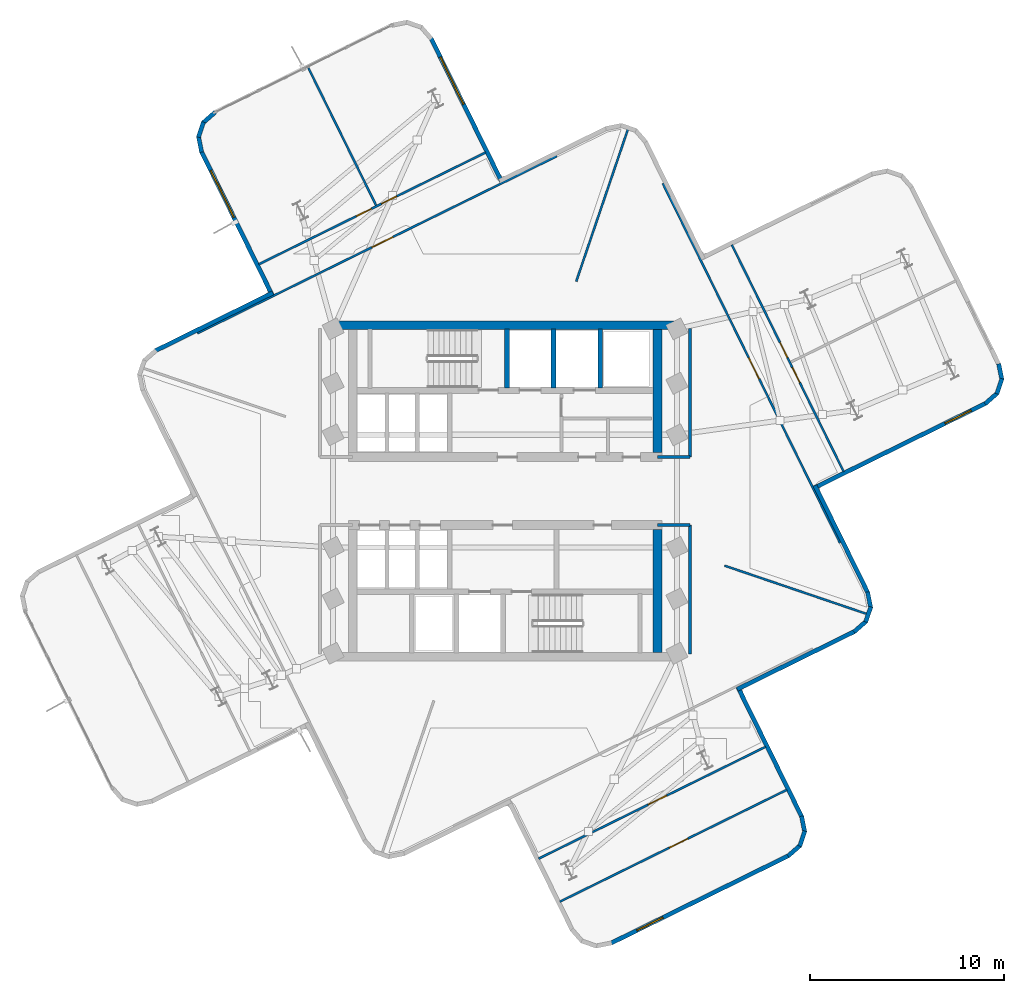
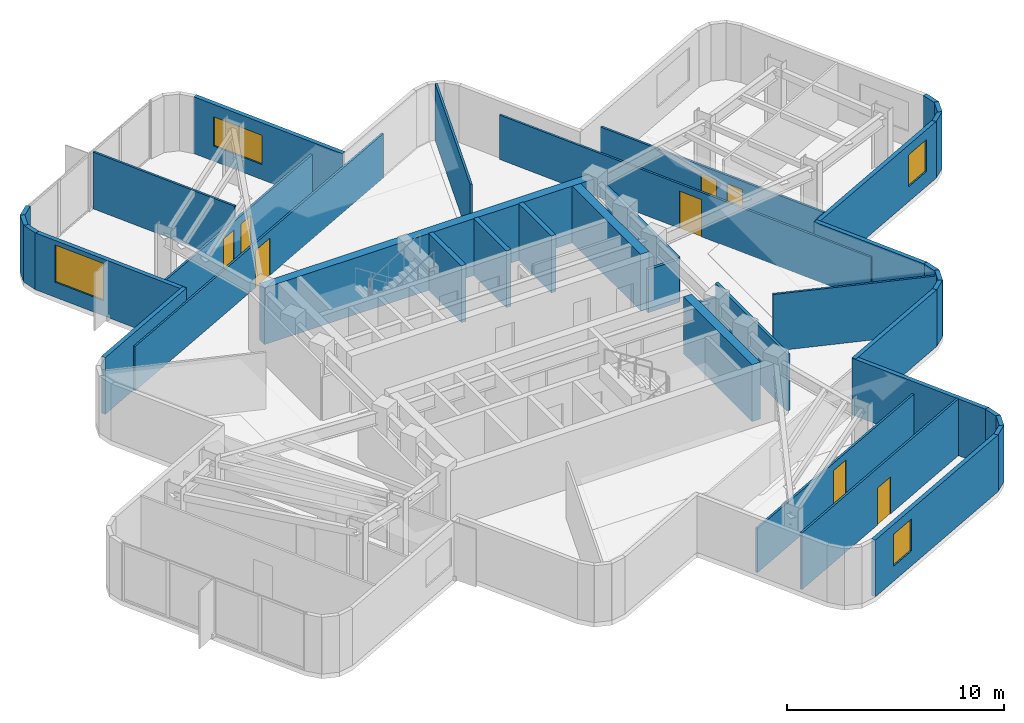
# One storey, part 7 of 11: 39 walls, 8 doors, 4 windows, 12 openings.
"""IFC4 building model written with IfcOpenShell, lengths in metres."""

from ifc_helpers import new_model, si_unit, direction, frame, frame_2d, origin, place, context, subcontext, project, spatial, rectangle, extrude, material, layer, layer_set, type_object, element, fill, save


model = new_model("IFC4")

# Units and contexts
model_context = context("Model", 3, precision=1e-05, world=origin(), true_north=direction((0.0, 1.0)))
body_context = subcontext(model_context, "Body", "Model", "MODEL_VIEW")
ifc_project = project(units=[si_unit("LENGTHUNIT", "METRE"), si_unit("AREAUNIT", "SQUARE_METRE"), si_unit("VOLUMEUNIT", "CUBIC_METRE"), si_unit("PLANEANGLEUNIT", "RADIAN"), si_unit("MASSUNIT", "GRAM", prefix="KILO")], contexts=[model_context])

# Site, building, storey
site_placement = place(None, origin())
site = spatial("IfcSite", under=ifc_project, at=site_placement, CompositionType="ELEMENT")
building_placement = place(site_placement, origin())
building = spatial("IfcBuilding", under=site, at=building_placement, Name="Solmarez Civic Tower", CompositionType="ELEMENT")
storey_placement = place(building_placement, frame((0.0, 0.0, 192.60009765625)))
storey = spatial("IfcBuildingStorey", under=building, at=storey_placement, Name="L51", CompositionType="ELEMENT", Elevation=192.60009765625)

# Walls
ifc_material_1 = material(Name="Concrete C50/60", Category="concrete")
ifc_layer_1 = layer(ifc_material_1, 0.449951171875)
ifc_layer_set_1 = layer_set([ifc_layer_1], Name="Concrete C50/60")
wall_type_1 = type_object("IfcWallType", Name="WALL-CORE-450", PredefinedType="SHEAR", material=ifc_layer_set_1)
wall_1_placement = place(storey_placement, frame((-8.780029296875, 8.534912109375, 0.0), z_axis=(0.0, 0.0, 1.0), x_axis=(1.0, 0.0, 0.0)))
element("IfcWall", 1, at=wall_1_placement, inside=storey, type_object=wall_type_1, Name="L51 Split-Core Structural Wall NCW-N-L51", PredefinedType="SHEAR", context=body_context, shape_type="SweptSolid", body=[
    extrude(rectangle(XDim=17.56005859375, YDim=0.449951171875, at=frame_2d((8.780029296875, 0.0))), origin(), (0.0, 0.0, 1.0), 3.199951171875),
])
for number, where, z_axis, x_axis, name in (
    (2, (7.844970703125, 8.31005859375, 0.0), (0.0, 0.0, 1.0), (0.0, -1.0, 0.0), "L51 Split-Core Structural Wall NCW-E-L51"),
    (3, (7.844970703125, -1.97509765625, 0.0), (0.0, 0.0, 1.0), (0.0, -1.0, 0.0), "L51 Split-Core Structural Wall SCW-E-L51"),
):
    element("IfcWall", number, at=place(storey_placement, frame(where, z_axis=z_axis, x_axis=x_axis)), inside=storey, type_object=wall_type_1, Name=name, PredefinedType="SHEAR", context=body_context, shape_type="SweptSolid", body=[
        extrude(rectangle(XDim=6.3349609375, YDim=0.449951171875, at=frame_2d((3.16748046875, 0.0))), origin(), (0.0, 0.0, 1.0), 3.199951171875),
    ])
ifc_material_2 = material(Name="Precast concrete C40/50", Category="concrete")
ifc_layer_2 = layer(ifc_material_2, 0.219970703125)
ifc_layer_set_2 = layer_set([ifc_layer_2], Name="Precast concrete C40/50")
wall_type_2 = type_object("IfcWallType", Name="WALL-EXT-220", PredefinedType="SOLIDWALL", material=ifc_layer_set_2)
wall_2_placement = place(storey_placement, frame((-18.009033203125, 7.221923828125, 0.0), z_axis=(0.0, 0.0, 1.0), x_axis=(0.896927600032, 0.44217743079, 0.0)))
element("IfcWall", 4, at=wall_2_placement, inside=storey, type_object=wall_type_2, Name="L51 Exterior Precast Wall 17", PredefinedType="SOLIDWALL", context=body_context, shape_type="SweptSolid", body=[
    extrude(rectangle(XDim=6.757568359375, YDim=0.219970703125, at=frame_2d((3.37890625, 0.0))), origin(), (0.0, 0.0, 1.0), 3.199951171875),
])

# Wall, opening, window
wall_3_placement = place(storey_placement, frame((-11.988037109375, 10.092041015625, 0.0), z_axis=(0.0, 0.0, 1.0), x_axis=(-0.442109392901, 0.896961138907, 0.0)))
wall_3 = element("IfcWall", 5, at=wall_3_placement, inside=storey, type_object=wall_type_2, Name="L51 Exterior Precast Wall 20", PredefinedType="SOLIDWALL", context=body_context, shape_type="SweptSolid", body=[
    extrude(rectangle(XDim=8.2578125, YDim=0.219970703125, at=frame_2d((4.12890625, 0.0))), origin(), (0.0, 0.0, 1.0), 3.199951171875),
])
opening_1_placement = place(wall_3_placement, frame((4.4580078125, 0.0, 0.85009765625)))
opening_1 = element("IfcOpeningElement", 6, at=opening_1_placement, cuts=wall_3, Name="Opening W-01", PredefinedType="OPENING", context=body_context, shape_type="SweptSolid", body=[
    extrude(rectangle(XDim=2.699951171875, YDim=2.10009765625, at=frame_2d((1.35009765625, 1.050048828125))), frame((0.0, 0.119873046875, 0.0), z_axis=(0.0, -1.0, 0.0), x_axis=(1.0, 0.0, 0.0)), (0.0, 0.0, 1.0), 0.239990234375),
])
ifc_material_3 = material(Name="Solar Control Bronze-Tinted Insulating Glass", Category="glass")
window_type_1 = type_object("IfcWindowType", Name="WIN-2700X2100", PartitioningType="SINGLE_PANEL", PredefinedType="WINDOW", material=ifc_material_3)
window_1_placement = place(opening_1_placement, origin())
window_1 = element("IfcWindow", 7, at=window_1_placement, inside=storey, type_object=window_type_1, Name="L51 Exterior Facade Window 20", OverallHeight=2.10009765625, OverallWidth=2.699951171875, PartitioningType="SINGLE_PANEL", PredefinedType="WINDOW", context=body_context, shape_type="SweptSolid", body=[
    extrude(rectangle(XDim=2.699951171875, YDim=2.10009765625, at=frame_2d((1.35009765625, 1.050048828125))), frame((0.0, 0.030029296875, 0.0), z_axis=(0.0, -1.0, 0.0), x_axis=(1.0, 0.0, 0.0)), (0.0, 0.0, 1.0), 0.06005859375),
])
fill(opening_1, window_1)

# Walls
wall_4_placement = place(storey_placement, frame((-15.623046875, 17.451904296875, 0.0), z_axis=(0.0, 0.0, 1.0), x_axis=(-0.193866328911, 0.981027953992, 0.0)))
element("IfcWall", 8, at=wall_4_placement, inside=storey, type_object=wall_type_2, Name="L51 Exterior Precast Wall 21", PredefinedType="SOLIDWALL", context=body_context, shape_type="SweptSolid", body=[
    extrude(rectangle(XDim=0.8349609375, YDim=0.219970703125, at=frame_2d((0.41748046875, 0.0))), origin(), (0.0, 0.0, 1.0), 3.199951171875),
])
wall_5_placement = place(storey_placement, frame((-15.7880859375, 18.221923828125, 0.0), z_axis=(0.0, 0.0, 1.0), x_axis=(0.320776894908, 0.947154783387, 0.0)))
element("IfcWall", 9, at=wall_5_placement, inside=storey, type_object=wall_type_2, Name="L51 Exterior Precast Wall 22", PredefinedType="SOLIDWALL", context=body_context, shape_type="SweptSolid", body=[
    extrude(rectangle(XDim=0.820556640625, YDim=0.219970703125, at=frame_2d((0.41015625, 0.0))), origin(), (0.0, 0.0, 1.0), 3.199951171875),
])
wall_6_placement = place(storey_placement, frame((-15.552001953125, 18.958984375, 0.0), z_axis=(0.0, 0.0, 1.0), x_axis=(0.752794227209, 0.658255916404, 0.0)))
element("IfcWall", 10, at=wall_6_placement, inside=storey, type_object=wall_type_2, Name="L51 Exterior Precast Wall 23", PredefinedType="SOLIDWALL", context=body_context, shape_type="SweptSolid", body=[
    extrude(rectangle(XDim=0.834228515625, YDim=0.219970703125, at=frame_2d((0.4169921875, 0.0))), origin(), (0.0, 0.0, 1.0), 3.199951171875),
])

# Wall, opening, window
wall_7_placement = place(storey_placement, frame((-3.81689453125, 23.325927734375, 0.0), z_axis=(0.0, 0.0, 1.0), x_axis=(0.442156293263, -0.896938020338, 0.0)))
wall_7 = element("IfcWall", 11, at=wall_7_placement, inside=storey, type_object=wall_type_2, Name="L51 Exterior Precast Wall 28", PredefinedType="SOLIDWALL", context=body_context, shape_type="SweptSolid", body=[
    extrude(rectangle(XDim=8.257080078125, YDim=0.219970703125, at=frame_2d((4.12841796875, 0.0))), origin(), (0.0, 0.0, 1.0), 3.199951171875),
])
opening_2_placement = place(wall_7_placement, frame((1.10009765625, 0.0, 0.85009765625)))
opening_2 = element("IfcOpeningElement", 12, at=opening_2_placement, cuts=wall_7, Name="Opening W-09", PredefinedType="OPENING", context=body_context, shape_type="SweptSolid", body=[
    extrude(rectangle(XDim=2.699951171875, YDim=1.64990234375, at=frame_2d((1.35009765625, 0.824951171875))), frame((0.0, 0.119873046875, 0.0), z_axis=(0.0, -1.0, 0.0), x_axis=(1.0, 0.0, 0.0)), (0.0, 0.0, 1.0), 0.239990234375),
])
window_type_2 = type_object("IfcWindowType", Name="WIN-2700X1650", PartitioningType="SINGLE_PANEL", PredefinedType="WINDOW", material=ifc_material_3)
window_2_placement = place(opening_2_placement, origin())
window_2 = element("IfcWindow", 13, at=window_2_placement, inside=storey, type_object=window_type_2, Name="L51 Exterior Facade Window 28", OverallHeight=1.64990234375, OverallWidth=2.699951171875, PartitioningType="SINGLE_PANEL", PredefinedType="WINDOW", context=body_context, shape_type="SweptSolid", body=[
    extrude(rectangle(XDim=2.699951171875, YDim=1.64990234375, at=frame_2d((1.35009765625, 0.824951171875))), frame((0.0, 0.030029296875, 0.0), z_axis=(0.0, -1.0, 0.0), x_axis=(1.0, 0.0, 0.0)), (0.0, 0.0, 1.0), 0.06005859375),
])
fill(opening_2, window_2)

# Walls
wall_8_placement = place(storey_placement, frame((25.4189453125, 6.552978515625, 0.0), z_axis=(0.0, 0.0, 1.0), x_axis=(0.195272818647, -0.980748961915, 0.0)))
element("IfcWall", 14, at=wall_8_placement, inside=storey, type_object=wall_type_2, Name="L51 Exterior Precast Wall 43", PredefinedType="SOLIDWALL", context=body_context, shape_type="SweptSolid", body=[
    extrude(rectangle(XDim=0.835205078125, YDim=0.219970703125, at=frame_2d((0.41748046875, 0.0))), origin(), (0.0, 0.0, 1.0), 3.199951171875),
])
wall_9_placement = place(storey_placement, frame((25.5849609375, 5.782958984375, 0.0), z_axis=(0.0, 0.0, 1.0), x_axis=(-0.321667999976, -0.946852521669, 0.0)))
element("IfcWall", 15, at=wall_9_placement, inside=storey, type_object=wall_type_2, Name="L51 Exterior Precast Wall 44", PredefinedType="SOLIDWALL", context=body_context, shape_type="SweptSolid", body=[
    extrude(rectangle(XDim=0.820556640625, YDim=0.219970703125, at=frame_2d((0.41015625, 0.0))), origin(), (0.0, 0.0, 1.0), 3.199951171875),
])
wall_10_placement = place(storey_placement, frame((25.347900390625, 5.0458984375, 0.0), z_axis=(0.0, 0.0, 1.0), x_axis=(-0.752939273058, -0.658090002269, 0.0)))
element("IfcWall", 16, at=wall_10_placement, inside=storey, type_object=wall_type_2, Name="L51 Exterior Precast Wall 45", PredefinedType="SOLIDWALL", context=body_context, shape_type="SweptSolid", body=[
    extrude(rectangle(XDim=0.833984375, YDim=0.219970703125, at=frame_2d((0.4169921875, 0.0))), origin(), (0.0, 0.0, 1.0), 3.199951171875),
])

# Wall, opening, window
wall_11_placement = place(storey_placement, frame((24.760986328125, 4.52392578125, 0.0), z_axis=(0.0, 0.0, 1.0), x_axis=(-0.896954033158, -0.442123808905, 0.0)))
wall_11 = element("IfcWall", 17, at=wall_11_placement, inside=storey, type_object=wall_type_2, Name="L51 Exterior Precast Wall 46", PredefinedType="SOLIDWALL", context=body_context, shape_type="SweptSolid", body=[
    extrude(rectangle(XDim=9.856689453125, YDim=0.219970703125, at=frame_2d((4.92822265625, 0.0))), origin(), (0.0, 0.0, 1.0), 3.199951171875),
])
opening_3_placement = place(wall_11_placement, frame((0.85009765625, 0.0, 0.85009765625)))
opening_3 = element("IfcOpeningElement", 18, at=opening_3_placement, cuts=wall_11, Name="Opening W-13", PredefinedType="OPENING", context=body_context, shape_type="SweptSolid", body=[
    extrude(rectangle(XDim=1.5, YDim=1.800048828125, at=frame_2d((0.75, 0.89990234375))), frame((0.0, 0.119873046875, 0.0), z_axis=(0.0, -1.0, 0.0), x_axis=(1.0, 0.0, 0.0)), (0.0, 0.0, 1.0), 0.239990234375),
])
window_type_3 = type_object("IfcWindowType", Name="WIN-1500X1800", PartitioningType="SINGLE_PANEL", PredefinedType="WINDOW", material=ifc_material_3)
window_3_placement = place(opening_3_placement, origin())
window_3 = element("IfcWindow", 19, at=window_3_placement, inside=storey, type_object=window_type_3, Name="L51 Exterior Facade Window 46", OverallHeight=1.800048828125, OverallWidth=1.5, PartitioningType="SINGLE_PANEL", PredefinedType="WINDOW", context=body_context, shape_type="SweptSolid", body=[
    extrude(rectangle(XDim=1.5, YDim=1.800048828125, at=frame_2d((0.75, 0.89990234375))), frame((0.0, 0.030029296875, 0.0), z_axis=(0.0, -1.0, 0.0), x_axis=(1.0, 0.0, 0.0)), (0.0, 0.0, 1.0), 0.06005859375),
])
fill(opening_3, window_3)

# Walls
wall_12_placement = place(storey_placement, frame((15.9599609375, 0.283935546875, 0.0), z_axis=(0.0, 0.0, 1.0), x_axis=(0.442004580174, -0.897012793167, 0.0)))
element("IfcWall", 20, at=wall_12_placement, inside=storey, type_object=wall_type_2, Name="L51 Exterior Precast Wall 49", PredefinedType="SOLIDWALL", context=body_context, shape_type="SweptSolid", body=[
    extrude(rectangle(XDim=6.158203125, YDim=0.219970703125, at=frame_2d((3.0791015625, 0.0))), origin(), (0.0, 0.0, 1.0), 3.199951171875),
])
wall_13_placement = place(storey_placement, frame((18.666015625, -5.193115234375, 0.0), z_axis=(0.0, 0.0, 1.0), x_axis=(0.19532881852, -0.980737810353, 0.0)))
element("IfcWall", 21, at=wall_13_placement, inside=storey, type_object=wall_type_2, Name="L51 Exterior Precast Wall 50", PredefinedType="SOLIDWALL", context=body_context, shape_type="SweptSolid", body=[
    extrude(rectangle(XDim=0.8349609375, YDim=0.219970703125, at=frame_2d((0.41748046875, 0.0))), origin(), (0.0, 0.0, 1.0), 3.199951171875),
])
wall_14_placement = place(storey_placement, frame((18.83203125, -5.962890625, 0.0), z_axis=(0.0, 0.0, 1.0), x_axis=(-0.320509908962, -0.947245162699, 0.0)))
element("IfcWall", 22, at=wall_14_placement, inside=storey, type_object=wall_type_2, Name="L51 Exterior Precast Wall 51", PredefinedType="SOLIDWALL", context=body_context, shape_type="SweptSolid", body=[
    extrude(rectangle(XDim=0.8203125, YDim=0.219970703125, at=frame_2d((0.41015625, 0.0))), origin(), (0.0, 0.0, 1.0), 3.199951171875),
])
wall_15_placement = place(storey_placement, frame((18.595947265625, -6.699951171875, 0.0), z_axis=(0.0, 0.0, 1.0), x_axis=(-0.752794227209, -0.658255916404, 0.0)))
element("IfcWall", 23, at=wall_15_placement, inside=storey, type_object=wall_type_2, Name="L51 Exterior Precast Wall 52", PredefinedType="SOLIDWALL", context=body_context, shape_type="SweptSolid", body=[
    extrude(rectangle(XDim=0.834228515625, YDim=0.219970703125, at=frame_2d((0.4169921875, 0.0))), origin(), (0.0, 0.0, 1.0), 3.199951171875),
])
wall_16_placement = place(storey_placement, frame((18.009033203125, -7.221923828125, 0.0), z_axis=(0.0, 0.0, 1.0), x_axis=(-0.896927600032, -0.44217743079, 0.0)))
element("IfcWall", 24, at=wall_16_placement, inside=storey, type_object=wall_type_2, Name="L51 Exterior Precast Wall 53", PredefinedType="SOLIDWALL", context=body_context, shape_type="SweptSolid", body=[
    extrude(rectangle(XDim=6.757568359375, YDim=0.219970703125, at=frame_2d((3.37890625, 0.0))), origin(), (0.0, 0.0, 1.0), 3.199951171875),
])
wall_17_placement = place(storey_placement, frame((11.988037109375, -10.092041015625, 0.0), z_axis=(0.0, 0.0, 1.0), x_axis=(0.442047193251, -0.896991794243, 0.0)))
element("IfcWall", 25, at=wall_17_placement, inside=storey, type_object=wall_type_2, Name="L51 Exterior Precast Wall 56", PredefinedType="SOLIDWALL", context=body_context, shape_type="SweptSolid", body=[
    extrude(rectangle(XDim=7.458251953125, YDim=0.219970703125, at=frame_2d((3.72900390625, 0.0))), origin(), (0.0, 0.0, 1.0), 3.199951171875),
])
wall_18_placement = place(storey_placement, frame((15.26904296875, -16.735107421875, 0.0), z_axis=(0.0, 0.0, 1.0), x_axis=(0.195047542382, -0.980793788832, 0.0)))
element("IfcWall", 26, at=wall_18_placement, inside=storey, type_object=wall_type_2, Name="L51 Exterior Precast Wall 57", PredefinedType="SOLIDWALL", context=body_context, shape_type="SweptSolid", body=[
    extrude(rectangle(XDim=0.8349609375, YDim=0.219970703125, at=frame_2d((0.41748046875, 0.0))), origin(), (0.0, 0.0, 1.0), 3.199951171875),
])
wall_19_placement = place(storey_placement, frame((15.43505859375, -17.5048828125, 0.0), z_axis=(0.0, 0.0, 1.0), x_axis=(-0.322207018103, -0.94666923341, 0.0)))
element("IfcWall", 27, at=wall_19_placement, inside=storey, type_object=wall_type_2, Name="L51 Exterior Precast Wall 58", PredefinedType="SOLIDWALL", context=body_context, shape_type="SweptSolid", body=[
    extrude(rectangle(XDim=0.81982421875, YDim=0.219970703125, at=frame_2d((0.409912109375, 0.0))), origin(), (0.0, 0.0, 1.0), 3.199951171875),
])
wall_20_placement = place(storey_placement, frame((15.197998046875, -18.240966796875, 0.0), z_axis=(0.0, 0.0, 1.0), x_axis=(-0.752286267629, -0.658836376907, 0.0)))
element("IfcWall", 28, at=wall_20_placement, inside=storey, type_object=wall_type_2, Name="L51 Exterior Precast Wall 59", PredefinedType="SOLIDWALL", context=body_context, shape_type="SweptSolid", body=[
    extrude(rectangle(XDim=0.83349609375, YDim=0.219970703125, at=frame_2d((0.416748046875, 0.0))), origin(), (0.0, 0.0, 1.0), 3.199951171875),
])

# Wall, opening, window
wall_21_placement = place(storey_placement, frame((14.612060546875, -18.762939453125, 0.0), z_axis=(0.0, 0.0, 1.0), x_axis=(-0.896935503829, -0.442161398101, 0.0)))
wall_21 = element("IfcWall", 29, at=wall_21_placement, inside=storey, type_object=wall_type_2, Name="L51 Exterior Precast Wall 60", PredefinedType="SOLIDWALL", context=body_context, shape_type="SweptSolid", body=[
    extrude(rectangle(XDim=10.220458984375, YDim=0.219970703125, at=frame_2d((5.1103515625, 0.0))), origin(), (0.0, 0.0, 1.0), 3.199951171875),
])
opening_4_placement = place(wall_21_placement, frame((7.221923828125, 0.0, 0.85009765625)))
opening_4 = element("IfcOpeningElement", 30, at=opening_4_placement, cuts=wall_21, Name="Opening W-13", PredefinedType="OPENING", context=body_context, shape_type="SweptSolid", body=[
    extrude(rectangle(XDim=1.5, YDim=1.800048828125, at=frame_2d((0.75, 0.89990234375))), frame((0.0, 0.119873046875, 0.0), z_axis=(0.0, -1.0, 0.0), x_axis=(1.0, 0.0, 0.0)), (0.0, 0.0, 1.0), 0.239990234375),
])
window_4_placement = place(opening_4_placement, origin())
window_4 = element("IfcWindow", 31, at=window_4_placement, inside=storey, type_object=window_type_3, Name="L51 Exterior Facade Window 60", OverallHeight=1.800048828125, OverallWidth=1.5, PartitioningType="SINGLE_PANEL", PredefinedType="WINDOW", context=body_context, shape_type="SweptSolid", body=[
    extrude(rectangle(XDim=1.5, YDim=1.800048828125, at=frame_2d((0.75, 0.89990234375))), frame((0.0, 0.030029296875, 0.0), z_axis=(0.0, -1.0, 0.0), x_axis=(1.0, 0.0, 0.0)), (0.0, 0.0, 1.0), 0.06005859375),
])
fill(opening_4, window_4)

# Walls
ifc_material_4 = material(Name="Gypsum Board Acoustic Steel-Stud Partition", Category="steel")
ifc_layer_3 = layer(ifc_material_4, 0.14990234375)
ifc_layer_set_3 = layer_set([ifc_layer_3], Name="Gypsum Board Acoustic Steel-Stud Partition")
wall_type_3 = type_object("IfcWallType", Name="WALL-INT-FIRE-150", PredefinedType="PARTITIONING", material=ifc_layer_set_3)
wall_22_placement = place(storey_placement, frame((9.52001953125, 1.75, 0.0), z_axis=(0.0, 0.0, 1.0), x_axis=(0.0, 1.0, 0.0)))
element("IfcWall", 32, at=wall_22_placement, inside=storey, type_object=wall_type_3, Name="L51 Interior Partition CHW-L51-EN1", PredefinedType="PARTITIONING", context=body_context, shape_type="SweptSolid", body=[
    extrude(rectangle(XDim=6.6298828125, YDim=0.14990234375, at=frame_2d((3.31494140625, 0.0))), origin(), (0.0, 0.0, 1.0), 2.50390625),
])
wall_23_placement = place(storey_placement, frame((7.85009765625, 1.75, 0.0), z_axis=(0.0, 0.0, 1.0), x_axis=(1.0, 0.0, 0.0)))
element("IfcWall", 33, at=wall_23_placement, inside=storey, type_object=wall_type_3, Name="L51 Interior Partition CHW-L51-EN3", PredefinedType="PARTITIONING", context=body_context, shape_type="SweptSolid", body=[
    extrude(rectangle(XDim=1.669921875, YDim=0.14990234375, at=frame_2d((0.8349609375, 0.0))), origin(), (0.0, 0.0, 1.0), 2.429931640625),
])
wall_24_placement = place(storey_placement, frame((9.52001953125, -8.3798828125, 0.0), z_axis=(0.0, 0.0, 1.0), x_axis=(0.0, 1.0, 0.0)))
element("IfcWall", 34, at=wall_24_placement, inside=storey, type_object=wall_type_3, Name="L51 Interior Partition CHW-L51-ES1", PredefinedType="PARTITIONING", context=body_context, shape_type="SweptSolid", body=[
    extrude(rectangle(XDim=6.6298828125, YDim=0.14990234375, at=frame_2d((3.31494140625, 0.0))), origin(), (0.0, 0.0, 1.0), 3.199951171875),
])
wall_25_placement = place(storey_placement, frame((7.85009765625, -1.75, 0.0), z_axis=(0.0, 0.0, 1.0), x_axis=(1.0, 0.0, 0.0)))
element("IfcWall", 35, at=wall_25_placement, inside=storey, type_object=wall_type_3, Name="L51 Interior Partition CHW-L51-ES3", PredefinedType="PARTITIONING", context=body_context, shape_type="SweptSolid", body=[
    extrude(rectangle(XDim=1.669921875, YDim=0.14990234375, at=frame_2d((0.8349609375, 0.0))), origin(), (0.0, 0.0, 1.0), 2.429931640625),
])
ifc_layer_4 = layer(ifc_material_4, 0.110107421875)
ifc_layer_set_4 = layer_set([ifc_layer_4], Name="Gypsum Board Acoustic Steel-Stud Partition")
wall_type_4 = type_object("IfcWallType", Name="WALL-INT-PART-110", PredefinedType="PARTITIONING", material=ifc_layer_set_4)
wall_26_placement = place(storey_placement, frame((3.666015625, 10.7939453125, 0.0), z_axis=(0.0, 0.0, 1.0), x_axis=(0.32157793417, 0.946883114357, 0.0)))
element("IfcWall", 36, at=wall_26_placement, inside=storey, type_object=wall_type_4, Name="L51 Interior Partition PT-L51-QDIV-1", PredefinedType="PARTITIONING", context=body_context, shape_type="SweptSolid", body=[
    extrude(rectangle(XDim=8.2744140625, YDim=0.110107421875, at=frame_2d((4.13720703125, 0.0))), origin(), (0.0, 0.0, 1.0), 3.199951171875),
])
wall_27_placement = place(storey_placement, frame((11.300048828125, -3.837890625, 0.0), z_axis=(0.0, 0.0, 1.0), x_axis=(0.946882857271, -0.321578691158, 0.0)))
element("IfcWall", 37, at=wall_27_placement, inside=storey, type_object=wall_type_4, Name="L51 Interior Partition PT-L51-QDIV-4", PredefinedType="PARTITIONING", context=body_context, shape_type="SweptSolid", body=[
    extrude(rectangle(XDim=7.739990234375, YDim=0.110107421875, at=frame_2d((3.8701171875, 0.0))), origin(), (0.0, 0.0, 1.0), 3.199951171875),
])

# Wall, opening, door
wall_28_placement = place(storey_placement, frame((8.1220703125, 15.843017578125, 0.0), z_axis=(0.0, 0.0, 1.0), x_axis=(0.442129285211, -0.896951333774, 0.0)))
wall_28 = element("IfcWall", 38, at=wall_28_placement, inside=storey, type_object=wall_type_4, Name="L51 Interior Partition PT-L51-E-ENT", PredefinedType="PARTITIONING", context=body_context, shape_type="SweptSolid", body=[
    extrude(rectangle(XDim=20.638671875, YDim=0.110107421875, at=frame_2d((10.3193359375, 0.0))), origin(), (0.0, 0.0, 1.0), 2.50390625),
])
opening_5_placement = place(wall_28_placement, frame((10.02001953125, 0.0, 0.0)))
opening_5 = element("IfcOpeningElement", 39, at=opening_5_placement, cuts=wall_28, Name="Opening D-11", PredefinedType="OPENING", context=body_context, shape_type="SweptSolid", body=[
    extrude(rectangle(XDim=1.199951171875, YDim=2.10009765625, at=frame_2d((0.60009765625, 1.050048828125))), frame((0.0, 0.06494140625, 0.0), z_axis=(0.0, -1.0, 0.0), x_axis=(1.0, 0.0, 0.0)), (0.0, 0.0, 1.0), 0.130126953125),
])
ifc_material_5 = material(Name="Glazed-Vision Acoustic Chamber Door", Category="wood")
door_type_1 = type_object("IfcDoorType", Name="DOOR-INT-1200", OperationType="NOTDEFINED", PredefinedType="DOOR", material=ifc_material_5)
door_1_placement = place(opening_5_placement, origin())
door_1 = element("IfcDoor", 40, at=door_1_placement, inside=storey, type_object=door_type_1, Name="L51 Tribunal Chamber Inter-Ministerial Open Workspace First East Door", OperationType="SINGLE_SWING_LEFT", OverallHeight=2.10009765625, OverallWidth=1.199951171875, PredefinedType="DOOR", context=body_context, shape_type="SweptSolid", body=[
    extrude(rectangle(XDim=1.199951171875, YDim=2.10009765625, at=frame_2d((0.60009765625, 1.050048828125))), frame((0.0, 0.02490234375, 0.0), z_axis=(0.0, -1.0, 0.0), x_axis=(1.0, 0.0, 0.0)), (0.0, 0.0, 1.0), 0.050048828125),
])
fill(opening_5, door_1)

# Wall, openings, doors
wall_29_placement = place(storey_placement, frame((17.43603515625, 0.9970703125, 0.0), z_axis=(0.0, 0.0, 1.0), x_axis=(-0.442139902385, 0.896946100231, 0.0)))
wall_29 = element("IfcWall", 41, at=wall_29_placement, inside=storey, type_object=wall_type_4, Name="L51 Interior Partition PT-L51-E-SCUT", PredefinedType="PARTITIONING", context=body_context, shape_type="SweptSolid", body=[
    extrude(rectangle(XDim=13.02978515625, YDim=0.110107421875, at=frame_2d((6.514892578125, 0.0))), origin(), (0.0, 0.0, 1.0), 2.50390625),
])
opening_6_placement = place(wall_29_placement, frame((5.114990234375, 0.0, 0.0)))
opening_6 = element("IfcOpeningElement", 42, at=opening_6_placement, cuts=wall_29, Name="Opening D-14", PredefinedType="OPENING", context=body_context, shape_type="SweptSolid", body=[
    extrude(rectangle(XDim=0.860107421875, YDim=2.0400390625, at=frame_2d((0.43017578125, 1.02001953125))), frame((0.0, 0.06494140625, 0.0), z_axis=(0.0, -1.0, 0.0), x_axis=(1.0, 0.0, 0.0)), (0.0, 0.0, 1.0), 0.130126953125),
])
opening_7_placement = place(wall_29_placement, frame((6.554931640625, 0.0, 0.0)))
opening_7 = element("IfcOpeningElement", 43, at=opening_7_placement, cuts=wall_29, Name="Opening D-14", PredefinedType="OPENING", context=body_context, shape_type="SweptSolid", body=[
    extrude(rectangle(XDim=0.860107421875, YDim=2.0400390625, at=frame_2d((0.43017578125, 1.02001953125))), frame((0.0, 0.06494140625, 0.0), z_axis=(0.0, -1.0, 0.0), x_axis=(1.0, 0.0, 0.0)), (0.0, 0.0, 1.0), 0.130126953125),
])
ifc_material_6 = material(Name="Timber Storage and Pantry Door", Category="wood")
door_type_2 = type_object("IfcDoorType", Name="DOOR-INT-850", OperationType="NOTDEFINED", PredefinedType="DOOR", material=ifc_material_6)
door_2_placement = place(opening_6_placement, origin())
door_2 = element("IfcDoor", 44, at=door_2_placement, inside=storey, type_object=door_type_2, Name="L51 Citizen Consultation Room Third East Door", OperationType="SINGLE_SWING_RIGHT", OverallHeight=2.0400390625, OverallWidth=0.860107421875, PredefinedType="DOOR", context=body_context, shape_type="SweptSolid", body=[
    extrude(rectangle(XDim=0.860107421875, YDim=2.0400390625, at=frame_2d((0.43017578125, 1.02001953125))), frame((0.0, 0.02490234375, 0.0), z_axis=(0.0, -1.0, 0.0), x_axis=(1.0, 0.0, 0.0)), (0.0, 0.0, 1.0), 0.050048828125),
])
fill(opening_6, door_2)
door_3_placement = place(opening_7_placement, origin())
door_3 = element("IfcDoor", 45, at=door_3_placement, inside=storey, type_object=door_type_2, Name="L51 Policy Seminar Room Second East Door", OperationType="SINGLE_SWING_LEFT", OverallHeight=2.0400390625, OverallWidth=0.860107421875, PredefinedType="DOOR", context=body_context, shape_type="SweptSolid", body=[
    extrude(rectangle(XDim=0.860107421875, YDim=2.0400390625, at=frame_2d((0.43017578125, 1.02001953125))), frame((0.0, 0.02490234375, 0.0), z_axis=(0.0, -1.0, 0.0), x_axis=(1.0, 0.0, 0.0)), (0.0, 0.0, 1.0), 0.050048828125),
])
fill(opening_7, door_3)

# Wall, opening, door
wall_30_placement = place(storey_placement, frame((-15.843017578125, 8.1220703125, 0.0), z_axis=(0.0, 0.0, 1.0), x_axis=(0.896951333774, 0.442129285211, 0.0)))
wall_30 = element("IfcWall", 46, at=wall_30_placement, inside=storey, type_object=wall_type_4, Name="L51 Interior Partition PT-L51-N-ENT", PredefinedType="PARTITIONING", context=body_context, shape_type="SweptSolid", body=[
    extrude(rectangle(XDim=20.638671875, YDim=0.110107421875, at=frame_2d((10.3193359375, 0.0))), origin(), (0.0, 0.0, 1.0), 2.50390625),
])
opening_8_placement = place(wall_30_placement, frame((10.02001953125, 0.0, 0.0)))
opening_8 = element("IfcOpeningElement", 47, at=opening_8_placement, cuts=wall_30, Name="Opening D-11", PredefinedType="OPENING", context=body_context, shape_type="SweptSolid", body=[
    extrude(rectangle(XDim=1.199951171875, YDim=2.10009765625, at=frame_2d((0.60009765625, 1.050048828125))), frame((0.0, 0.06494140625, 0.0), z_axis=(0.0, -1.0, 0.0), x_axis=(1.0, 0.0, 0.0)), (0.0, 0.0, 1.0), 0.130126953125),
])
door_4_placement = place(opening_8_placement, origin())
door_4 = element("IfcDoor", 48, at=door_4_placement, inside=storey, type_object=door_type_1, Name="L51 Policy Seminar Room First North Door", OperationType="SINGLE_SWING_LEFT", OverallHeight=2.10009765625, OverallWidth=1.199951171875, PredefinedType="DOOR", context=body_context, shape_type="SweptSolid", body=[
    extrude(rectangle(XDim=1.199951171875, YDim=2.10009765625, at=frame_2d((0.60009765625, 1.050048828125))), frame((0.0, 0.02490234375, 0.0), z_axis=(0.0, -1.0, 0.0), x_axis=(1.0, 0.0, 0.0)), (0.0, 0.0, 1.0), 0.050048828125),
])
fill(opening_8, door_4)

# Wall
wall_31_placement = place(storey_placement, frame((-6.64306640625, 14.719970703125, 0.0), z_axis=(0.0, 0.0, 1.0), x_axis=(-0.442022597005, 0.897003915118, 0.0)))
element("IfcWall", 49, at=wall_31_placement, inside=storey, type_object=wall_type_4, Name="L51 Interior Partition PT-L51-N-TSP", PredefinedType="PARTITIONING", context=body_context, shape_type="SweptSolid", body=[
    extrude(rectangle(XDim=7.875, YDim=0.110107421875, at=frame_2d((3.9375, 0.0))), origin(), (0.0, 0.0, 1.0), 3.199951171875),
])

# Wall, openings, doors
wall_32_placement = place(storey_placement, frame((-0.9970703125, 17.43603515625, 0.0), z_axis=(0.0, 0.0, 1.0), x_axis=(-0.896946100231, -0.442139902385, 0.0)))
wall_32 = element("IfcWall", 50, at=wall_32_placement, inside=storey, type_object=wall_type_4, Name="L51 Interior Partition PT-L51-N-SCUT", PredefinedType="PARTITIONING", context=body_context, shape_type="SweptSolid", body=[
    extrude(rectangle(XDim=13.02978515625, YDim=0.110107421875, at=frame_2d((6.514892578125, 0.0))), origin(), (0.0, 0.0, 1.0), 2.50390625),
])
opening_9_placement = place(wall_32_placement, frame((5.114990234375, 0.0, 0.0)))
opening_9 = element("IfcOpeningElement", 51, at=opening_9_placement, cuts=wall_32, Name="Opening D-14", PredefinedType="OPENING", context=body_context, shape_type="SweptSolid", body=[
    extrude(rectangle(XDim=0.860107421875, YDim=2.0400390625, at=frame_2d((0.43017578125, 1.02001953125))), frame((0.0, 0.06494140625, 0.0), z_axis=(0.0, -1.0, 0.0), x_axis=(1.0, 0.0, 0.0)), (0.0, 0.0, 1.0), 0.130126953125),
])
opening_10_placement = place(wall_32_placement, frame((6.554931640625, 0.0, 0.0)))
opening_10 = element("IfcOpeningElement", 52, at=opening_10_placement, cuts=wall_32, Name="Opening D-14", PredefinedType="OPENING", context=body_context, shape_type="SweptSolid", body=[
    extrude(rectangle(XDim=0.860107421875, YDim=2.0400390625, at=frame_2d((0.43017578125, 1.02001953125))), frame((0.0, 0.06494140625, 0.0), z_axis=(0.0, -1.0, 0.0), x_axis=(1.0, 0.0, 0.0)), (0.0, 0.0, 1.0), 0.130126953125),
])
door_5_placement = place(opening_9_placement, origin())
door_5 = element("IfcDoor", 53, at=door_5_placement, inside=storey, type_object=door_type_2, Name="L51 Staff Pantry Third North Door", OperationType="SINGLE_SWING_RIGHT", OverallHeight=2.0400390625, OverallWidth=0.860107421875, PredefinedType="DOOR", context=body_context, shape_type="SweptSolid", body=[
    extrude(rectangle(XDim=0.860107421875, YDim=2.0400390625, at=frame_2d((0.43017578125, 1.02001953125))), frame((0.0, 0.02490234375, 0.0), z_axis=(0.0, -1.0, 0.0), x_axis=(1.0, 0.0, 0.0)), (0.0, 0.0, 1.0), 0.050048828125),
])
fill(opening_9, door_5)
door_6_placement = place(opening_10_placement, origin())
door_6 = element("IfcDoor", 54, at=door_6_placement, inside=storey, type_object=door_type_2, Name="L51 Citizen Consultation Room Second North Door", OperationType="SINGLE_SWING_LEFT", OverallHeight=2.0400390625, OverallWidth=0.860107421875, PredefinedType="DOOR", context=body_context, shape_type="SweptSolid", body=[
    extrude(rectangle(XDim=0.860107421875, YDim=2.0400390625, at=frame_2d((0.43017578125, 1.02001953125))), frame((0.0, 0.02490234375, 0.0), z_axis=(0.0, -1.0, 0.0), x_axis=(1.0, 0.0, 0.0)), (0.0, 0.0, 1.0), 0.050048828125),
])
fill(opening_10, door_6)

# Wall, opening, door
wall_33_placement = place(storey_placement, frame((13.41796875, -13.1640625, 0.0), z_axis=(0.0, 0.0, 1.0), x_axis=(-0.896946100231, -0.442139902385, 0.0)))
wall_33 = element("IfcWall", 55, at=wall_33_placement, inside=storey, type_object=wall_type_4, Name="L51 Interior Partition PT-L51-S-SC1", PredefinedType="PARTITIONING", context=body_context, shape_type="SweptSolid", body=[
    extrude(rectangle(XDim=13.02978515625, YDim=0.110107421875, at=frame_2d((6.514892578125, 0.0))), origin(), (0.0, 0.0, 1.0), 2.50390625),
])
opening_11_placement = place(wall_33_placement, frame((5.68994140625, 0.0, 0.0)))
opening_11 = element("IfcOpeningElement", 56, at=opening_11_placement, cuts=wall_33, Name="Opening D-13", PredefinedType="OPENING", context=body_context, shape_type="SweptSolid", body=[
    extrude(rectangle(XDim=1.050048828125, YDim=2.080078125, at=frame_2d((0.52490234375, 1.0400390625))), frame((0.0, 0.06494140625, 0.0), z_axis=(0.0, -1.0, 0.0), x_axis=(1.0, 0.0, 0.0)), (0.0, 0.0, 1.0), 0.130126953125),
])
ifc_material_7 = material(Name="Timber Directorate Office Door", Category="wood")
door_type_3 = type_object("IfcDoorType", Name="DOOR-INT-1050", OperationType="NOTDEFINED", PredefinedType="DOOR", material=ifc_material_7)
door_7_placement = place(opening_11_placement, origin())
door_7 = element("IfcDoor", 57, at=door_7_placement, inside=storey, type_object=door_type_3, Name="L51 Inter-Ministerial Open Workspace South Door", OperationType="SINGLE_SWING_LEFT", OverallHeight=2.080078125, OverallWidth=1.050048828125, PredefinedType="DOOR", context=body_context, shape_type="SweptSolid", body=[
    extrude(rectangle(XDim=1.050048828125, YDim=2.080078125, at=frame_2d((0.52490234375, 1.0400390625))), frame((0.0, 0.02490234375, 0.0), z_axis=(0.0, -1.0, 0.0), x_axis=(1.0, 0.0, 0.0)), (0.0, 0.0, 1.0), 0.050048828125),
])
fill(opening_11, door_7)

wall_34_placement = place(storey_placement, frame((14.510009765625, -15.37890625, 0.0), z_axis=(0.0, 0.0, 1.0), x_axis=(-0.896946100231, -0.442139902385, 0.0)))
wall_34 = element("IfcWall", 58, at=wall_34_placement, inside=storey, type_object=wall_type_4, Name="L51 Interior Partition PT-L51-S-SC2", PredefinedType="PARTITIONING", context=body_context, shape_type="SweptSolid", body=[
    extrude(rectangle(XDim=13.02978515625, YDim=0.110107421875, at=frame_2d((6.514892578125, 0.0))), origin(), (0.0, 0.0, 1.0), 3.199951171875),
])
opening_12_placement = place(wall_34_placement, frame((5.68994140625, 0.0, 0.0)))
opening_12 = element("IfcOpeningElement", 59, at=opening_12_placement, cuts=wall_34, Name="Opening D-13", PredefinedType="OPENING", context=body_context, shape_type="SweptSolid", body=[
    extrude(rectangle(XDim=1.050048828125, YDim=2.080078125, at=frame_2d((0.52490234375, 1.0400390625))), frame((0.0, 0.06494140625, 0.0), z_axis=(0.0, -1.0, 0.0), x_axis=(1.0, 0.0, 0.0)), (0.0, 0.0, 1.0), 0.130126953125),
])
door_8_placement = place(opening_12_placement, origin())
door_8 = element("IfcDoor", 60, at=door_8_placement, inside=storey, type_object=door_type_3, Name="L51 Citizen Consultation Room South Door", OperationType="SINGLE_SWING_RIGHT", OverallHeight=2.080078125, OverallWidth=1.050048828125, PredefinedType="DOOR", context=body_context, shape_type="SweptSolid", body=[
    extrude(rectangle(XDim=1.050048828125, YDim=2.080078125, at=frame_2d((0.52490234375, 1.0400390625))), frame((0.0, 0.02490234375, 0.0), z_axis=(0.0, -1.0, 0.0), x_axis=(1.0, 0.0, 0.0)), (0.0, 0.0, 1.0), 0.050048828125),
])
fill(opening_12, door_8)

# Walls
ifc_layer_5 = layer(ifc_material_1, 0.300048828125)
ifc_layer_set_5 = layer_set([ifc_layer_5], Name="Concrete C50/60")
wall_type_5 = type_object("IfcWallType", Name="WALL-STR-300", PredefinedType="SOLIDWALL", material=ifc_layer_set_5)
for number, where, z_axis, x_axis, name in (
    (61, (0.10009765625, 5.300048828125, 0.0), (0.0, 0.0, 1.0), (0.0, 1.0, 0.0), "L51 Split-Core Structural Wall SHW-N1-L51"),
    (62, (2.5, 5.300048828125, 0.0), (0.0, 0.0, 1.0), (0.0, 1.0, 0.0), "L51 Split-Core Structural Wall SHW-N2-L51"),
    (63, (4.89990234375, 5.300048828125, 0.0), (0.0, 0.0, 1.0), (0.0, 1.0, 0.0), "L51 Split-Core Structural Wall SHW-N3-L51"),
):
    element("IfcWall", number, at=place(storey_placement, frame(where, z_axis=z_axis, x_axis=x_axis)), inside=storey, type_object=wall_type_5, Name=name, PredefinedType="SOLIDWALL", context=body_context, shape_type="SweptSolid", body=[
        extrude(rectangle(XDim=3.0400390625, YDim=0.25, at=frame_2d((1.52001953125, 0.0))), origin(), (0.0, 0.0, 1.0), 3.199951171875),
    ])

save(model, "model.ifc")
